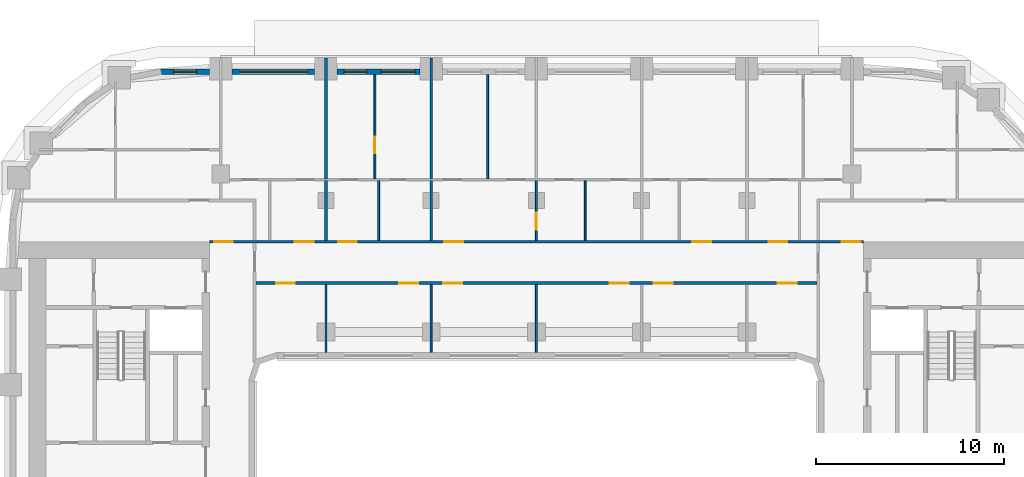
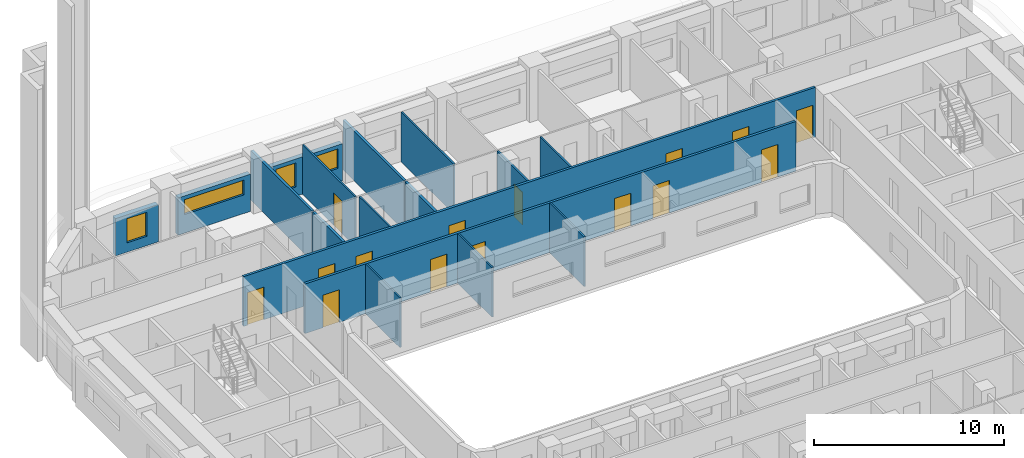
# One storey, part 9 of 23: 17 walls, 15 doors, 4 windows, 19 openings.
"""IFC4 building model written with IfcOpenShell, lengths in metres."""

from ifc_helpers import new_model, si_unit, direction, frame, frame_2d, origin, place, context, subcontext, project, spatial, rectangle, extrude, material, layer, layer_set, type_object, element, fill, save


model = new_model("IFC4")

# Units and contexts
model_context = context("Model", 3, precision=1e-05, world=origin(), true_north=direction((0.0, 1.0)))
body_context = subcontext(model_context, "Body", "Model", "MODEL_VIEW")
ifc_project = project(units=[si_unit("LENGTHUNIT", "METRE"), si_unit("AREAUNIT", "SQUARE_METRE"), si_unit("VOLUMEUNIT", "CUBIC_METRE"), si_unit("PLANEANGLEUNIT", "RADIAN"), si_unit("MASSUNIT", "GRAM", prefix="KILO")], contexts=[model_context])

# Site, building, storey
site_placement = place(None, origin())
site = spatial("IfcSite", under=ifc_project, at=site_placement, CompositionType="ELEMENT")
building_placement = place(site_placement, origin())
building = spatial("IfcBuilding", under=site, at=building_placement, Name="Kiln Ring Residences", CompositionType="ELEMENT")
storey_placement = place(building_placement, frame((0.0, 0.0, 107.800048828125)))
storey = spatial("IfcBuildingStorey", under=building, at=storey_placement, Name="L27", CompositionType="ELEMENT", Elevation=107.800048828125)

# Wall, openings, windows
ifc_material_1 = material(Name="Brick masonry, dark clay brick", Category="masonry")
ifc_layer_1 = layer(ifc_material_1, 0.300048828125)
ifc_layer_set_1 = layer_set([ifc_layer_1], Name="EW-300 BRICK WALL")
wall_type_1 = type_object("IfcWallType", Name="EW-300 BRICK WALL", PredefinedType="SOLIDWALL", material=ifc_layer_set_1)
wall_1_placement = place(storey_placement, frame((-6.199951171875, 22.25, 0.0), z_axis=(0.0, 0.0, 1.0), x_axis=(-1.0, 0.0, 0.0)))
wall_1 = element("IfcWall", 1, at=wall_1_placement, inside=storey, type_object=wall_type_1, Name="Facade wall L27 33", PredefinedType="SOLIDWALL", context=body_context, shape_type="SweptSolid", body=[
    extrude(rectangle(XDim=4.400146484375, YDim=0.300048828125, at=frame_2d((2.2001953125, 0.0))), origin(), (0.0, 0.0, 1.0), 2.39990234375),
])
opening_1_placement = place(wall_1_placement, frame((0.262451171875, 0.0, 0.89990234375)))
opening_1 = element("IfcOpeningElement", 2, at=opening_1_placement, cuts=wall_1, Name="Opening W2", PredefinedType="OPENING", context=body_context, shape_type="SweptSolid", body=[
    extrude(rectangle(XDim=1.800048828125, YDim=1.25, at=frame_2d((0.89990234375, 0.625))), frame((0.0, 0.159912109375, 0.0), z_axis=(0.0, -1.0, 0.0), x_axis=(1.0, 0.0, 0.0)), (0.0, 0.0, 1.0), 0.320068359375),
])
opening_2_placement = place(wall_1_placement, frame((2.83740234375, 0.0, 0.60009765625)))
opening_2 = element("IfcOpeningElement", 3, at=opening_2_placement, cuts=wall_1, Name="Opening W1", PredefinedType="OPENING", context=body_context, shape_type="SweptSolid", body=[
    extrude(rectangle(XDim=1.199951171875, YDim=1.550048828125, at=frame_2d((0.60009765625, 0.77490234375))), frame((0.0, 0.159912109375, 0.0), z_axis=(0.0, -1.0, 0.0), x_axis=(1.0, 0.0, 0.0)), (0.0, 0.0, 1.0), 0.320068359375),
])
ifc_material_2 = material(Name="Aluminium frame with double glazing", Category="aluminium")
window_type_1 = type_object("IfcWindowType", Name="WINDOW 1200 x 1550", PartitioningType="SINGLE_PANEL", PredefinedType="WINDOW", material=ifc_material_2)
window_1_placement = place(opening_2_placement, origin())
window_1 = element("IfcWindow", 4, at=window_1_placement, inside=storey, type_object=window_type_1, Name="Window L27 23", OverallHeight=1.550048828125, OverallWidth=1.199951171875, PartitioningType="SINGLE_PANEL", PredefinedType="WINDOW", context=body_context, shape_type="SweptSolid", body=[
    extrude(rectangle(XDim=1.199951171875, YDim=1.550048828125, at=frame_2d((0.60009765625, 0.77490234375))), frame((0.0, 0.030029296875, 0.0), z_axis=(0.0, -1.0, 0.0), x_axis=(1.0, 0.0, 0.0)), (0.0, 0.0, 1.0), 0.06005859375),
])
fill(opening_2, window_1)
ifc_material_3 = material(Name="Aluminium frame with double glazing", Category="aluminium")
window_type_2 = type_object("IfcWindowType", Name="WINDOW 1800 x 1250", PartitioningType="SINGLE_PANEL", PredefinedType="WINDOW", material=ifc_material_3)
window_2_placement = place(opening_1_placement, origin())
window_2 = element("IfcWindow", 5, at=window_2_placement, inside=storey, type_object=window_type_2, Name="Window L27 22", OverallHeight=1.25, OverallWidth=1.800048828125, PartitioningType="SINGLE_PANEL", PredefinedType="WINDOW", context=body_context, shape_type="SweptSolid", body=[
    extrude(rectangle(XDim=1.800048828125, YDim=1.25, at=frame_2d((0.89990234375, 0.625))), frame((0.0, 0.030029296875, 0.0), z_axis=(0.0, -1.0, 0.0), x_axis=(1.0, 0.0, 0.0)), (0.0, 0.0, 1.0), 0.06005859375),
])
fill(opening_1, window_2)

# Wall, opening, window
wall_2_placement = place(storey_placement, frame((-11.800048828125, 22.25, 0.0), z_axis=(0.0, 0.0, 1.0), x_axis=(-1.0, 0.0, 0.0)))
wall_2 = element("IfcWall", 6, at=wall_2_placement, inside=storey, type_object=wall_type_1, Name="Facade wall L27 34", PredefinedType="SOLIDWALL", context=body_context, shape_type="SweptSolid", body=[
    extrude(rectangle(XDim=4.39990234375, YDim=0.300048828125, at=frame_2d((2.199951171875, 0.0))), origin(), (0.0, 0.0, 1.0), 2.39990234375),
])
opening_3_placement = place(wall_2_placement, frame((0.39990234375, 0.0, 1.199951171875)))
opening_3 = element("IfcOpeningElement", 7, at=opening_3_placement, cuts=wall_2, Name="Opening W4", PredefinedType="OPENING", context=body_context, shape_type="SweptSolid", body=[
    extrude(rectangle(XDim=3.60009765625, YDim=0.949951171875, at=frame_2d((1.800048828125, 0.47509765625))), frame((0.0, 0.159912109375, 0.0), z_axis=(0.0, -1.0, 0.0), x_axis=(1.0, 0.0, 0.0)), (0.0, 0.0, 1.0), 0.320068359375),
])
ifc_material_4 = material(Name="Aluminium frame with double glazing", Category="aluminium")
window_type_3 = type_object("IfcWindowType", Name="WINDOW 3600 x 950", PartitioningType="SINGLE_PANEL", PredefinedType="WINDOW", material=ifc_material_4)
window_3_placement = place(opening_3_placement, origin())
window_3 = element("IfcWindow", 8, at=window_3_placement, inside=storey, type_object=window_type_3, Name="Window L27 24", OverallHeight=0.949951171875, OverallWidth=3.60009765625, PartitioningType="SINGLE_PANEL", PredefinedType="WINDOW", context=body_context, shape_type="SweptSolid", body=[
    extrude(rectangle(XDim=3.60009765625, YDim=0.949951171875, at=frame_2d((1.800048828125, 0.47509765625))), frame((0.0, 0.030029296875, 0.0), z_axis=(0.0, -1.0, 0.0), x_axis=(1.0, 0.0, 0.0)), (0.0, 0.0, 1.0), 0.06005859375),
])
fill(opening_3, window_3)

wall_3_placement = place(storey_placement, frame((-17.39990234375, 22.25, 0.0), z_axis=(0.0, 0.0, 1.0), x_axis=(-1.0, 0.0, 0.0)))
wall_3 = element("IfcWall", 9, at=wall_3_placement, inside=storey, type_object=wall_type_1, Name="Facade wall L27 35", PredefinedType="SOLIDWALL", context=body_context, shape_type="SweptSolid", body=[
    extrude(rectangle(XDim=2.60009765625, YDim=0.300048828125, at=frame_2d((1.300048828125, 0.0))), origin(), (0.0, 0.0, 1.0), 2.39990234375),
])
opening_4_placement = place(wall_3_placement, frame((0.699951171875, 0.0, 0.60009765625)))
opening_4 = element("IfcOpeningElement", 10, at=opening_4_placement, cuts=wall_3, Name="Opening W1", PredefinedType="OPENING", context=body_context, shape_type="SweptSolid", body=[
    extrude(rectangle(XDim=1.199951171875, YDim=1.550048828125, at=frame_2d((0.60009765625, 0.77490234375))), frame((0.0, 0.159912109375, 0.0), z_axis=(0.0, -1.0, 0.0), x_axis=(1.0, 0.0, 0.0)), (0.0, 0.0, 1.0), 0.320068359375),
])
window_4_placement = place(opening_4_placement, origin())
window_4 = element("IfcWindow", 11, at=window_4_placement, inside=storey, type_object=window_type_1, Name="Window L27 25", OverallHeight=1.550048828125, OverallWidth=1.199951171875, PartitioningType="SINGLE_PANEL", PredefinedType="WINDOW", context=body_context, shape_type="SweptSolid", body=[
    extrude(rectangle(XDim=1.199951171875, YDim=1.550048828125, at=frame_2d((0.60009765625, 0.77490234375))), frame((0.0, 0.030029296875, 0.0), z_axis=(0.0, -1.0, 0.0), x_axis=(1.0, 0.0, 0.0)), (0.0, 0.0, 1.0), 0.06005859375),
])
fill(opening_4, window_4)

# Wall
ifc_material_5 = material(Name="Gypsum board on steel studs", Category="steel")
ifc_layer_2 = layer(ifc_material_5, 0.10009765625)
ifc_layer_set_2 = layer_set([ifc_layer_2], Name="PARTITION-100")
wall_type_2 = type_object("IfcWallType", Name="PARTITION-100", PredefinedType="PARTITIONING", material=ifc_layer_set_2)
wall_4_placement = place(storey_placement, frame((-11.199951171875, 7.320068359375, 0.0), z_axis=(0.0, 0.0, 1.0), x_axis=(0.0, 1.0, 0.0)))
element("IfcWall", 12, at=wall_4_placement, inside=storey, type_object=wall_type_2, Name="Partition 028", PredefinedType="PARTITIONING", context=body_context, shape_type="SweptSolid", body=[
    extrude(rectangle(XDim=3.60498046875, YDim=0.10009765625, at=frame_2d((1.802490234375, 0.0))), origin(), (0.0, 0.0, 1.0), 3.199951171875),
])

# Wall, opening, door
wall_5_placement = place(storey_placement, frame((-8.60009765625, 16.550048828125, 0.0), z_axis=(0.0, 0.0, 1.0), x_axis=(0.0, 1.0, 0.0)))
wall_5 = element("IfcWall", 13, at=wall_5_placement, inside=storey, type_object=wall_type_2, Name="Partition 033", PredefinedType="PARTITIONING", context=body_context, shape_type="SweptSolid", body=[
    extrude(rectangle(XDim=5.530029296875, YDim=0.10009765625, at=frame_2d((2.76513671875, 0.0))), origin(), (0.0, 0.0, 1.0), 3.199951171875),
])
opening_5_placement = place(wall_5_placement, frame((1.35009765625, 0.0, 0.0)))
opening_5 = element("IfcOpeningElement", 14, at=opening_5_placement, cuts=wall_5, Name="Opening L27-D021", PredefinedType="OPENING", context=body_context, shape_type="SweptSolid", body=[
    extrude(rectangle(XDim=0.89990234375, YDim=2.10009765625, at=frame_2d((0.449951171875, 1.050048828125))), frame((0.0, 0.06005859375, 0.0), z_axis=(0.0, -1.0, 0.0), x_axis=(1.0, 0.0, 0.0)), (0.0, 0.0, 1.0), 0.1201171875),
])
ifc_material_6 = material(Name="Timber door leaf", Category="wood")
door_type_1 = type_object("IfcDoorType", Name="FLAT-DOOR-900-PL", OperationType="SINGLE_SWING_LEFT", PredefinedType="DOOR", material=ifc_material_6)
door_1_placement = place(opening_5_placement, origin())
door_1 = element("IfcDoor", 15, at=door_1_placement, inside=storey, type_object=door_type_1, Name="Door L27-D021", OperationType="SINGLE_SWING_LEFT", OverallHeight=2.10009765625, OverallWidth=0.89990234375, PredefinedType="DOOR", context=body_context, shape_type="SweptSolid", body=[
    extrude(rectangle(XDim=0.89990234375, YDim=2.10009765625, at=frame_2d((0.449951171875, 1.050048828125))), frame((0.0, 0.02490234375, 0.0), z_axis=(0.0, -1.0, 0.0), x_axis=(1.0, 0.0, 0.0)), (0.0, 0.0, 1.0), 0.050048828125),
])
fill(opening_5, door_1)

# Walls
wall_6_placement = place(storey_placement, frame((-8.39990234375, 13.27490234375, 0.0), z_axis=(0.0, 0.0, 1.0), x_axis=(0.0, 1.0, 0.0)))
element("IfcWall", 16, at=wall_6_placement, inside=storey, type_object=wall_type_2, Name="Partition 034", PredefinedType="PARTITIONING", context=body_context, shape_type="SweptSolid", body=[
    extrude(rectangle(XDim=3.175048828125, YDim=0.10009765625, at=frame_2d((1.58740234375, 0.0))), origin(), (0.0, 0.0, 1.0), 3.199951171875),
])
wall_7_placement = place(storey_placement, frame((-5.60009765625, 7.320068359375, 0.0), z_axis=(0.0, 0.0, 1.0), x_axis=(0.0, 1.0, 0.0)))
element("IfcWall", 17, at=wall_7_placement, inside=storey, type_object=wall_type_2, Name="Partition 037", PredefinedType="PARTITIONING", context=body_context, shape_type="SweptSolid", body=[
    extrude(rectangle(XDim=3.60498046875, YDim=0.10009765625, at=frame_2d((1.802490234375, 0.0))), origin(), (0.0, 0.0, 1.0), 3.199951171875),
])
wall_8_placement = place(storey_placement, frame((-2.60009765625, 16.550048828125, 0.0), z_axis=(0.0, 0.0, 1.0), x_axis=(0.0, 1.0, 0.0)))
element("IfcWall", 18, at=wall_8_placement, inside=storey, type_object=wall_type_2, Name="Partition 044", PredefinedType="PARTITIONING", context=body_context, shape_type="SweptSolid", body=[
    extrude(rectangle(XDim=5.530029296875, YDim=0.10009765625, at=frame_2d((2.76513671875, 0.0))), origin(), (0.0, 0.0, 1.0), 3.199951171875),
])
wall_9_placement = place(storey_placement, frame((0.0, 7.320068359375, 0.0), z_axis=(0.0, 0.0, 1.0), x_axis=(0.0, 1.0, 0.0)))
element("IfcWall", 19, at=wall_9_placement, inside=storey, type_object=wall_type_2, Name="Partition 047", PredefinedType="PARTITIONING", context=body_context, shape_type="SweptSolid", body=[
    extrude(rectangle(XDim=3.60498046875, YDim=0.10009765625, at=frame_2d((1.802490234375, 0.0))), origin(), (0.0, 0.0, 1.0), 3.199951171875),
])

# Wall, opening, door
wall_10_placement = place(storey_placement, frame((0.0, 13.27490234375, 0.0), z_axis=(0.0, 0.0, 1.0), x_axis=(0.0, 1.0, 0.0)))
wall_10 = element("IfcWall", 20, at=wall_10_placement, inside=storey, type_object=wall_type_2, Name="Partition 048", PredefinedType="PARTITIONING", context=body_context, shape_type="SweptSolid", body=[
    extrude(rectangle(XDim=3.175048828125, YDim=0.10009765625, at=frame_2d((1.58740234375, 0.0))), origin(), (0.0, 0.0, 1.0), 3.199951171875),
])
opening_6_placement = place(wall_10_placement, frame((0.575927734375, 0.0, 0.0)))
opening_6 = element("IfcOpeningElement", 21, at=opening_6_placement, cuts=wall_10, Name="Opening L27-D023", PredefinedType="OPENING", context=body_context, shape_type="SweptSolid", body=[
    extrude(rectangle(XDim=0.89990234375, YDim=2.10009765625, at=frame_2d((0.449951171875, 1.050048828125))), frame((0.0, 0.06005859375, 0.0), z_axis=(0.0, -1.0, 0.0), x_axis=(1.0, 0.0, 0.0)), (0.0, 0.0, 1.0), 0.1201171875),
])
door_2_placement = place(opening_6_placement, origin())
door_2 = element("IfcDoor", 22, at=door_2_placement, inside=storey, type_object=door_type_1, Name="Door L27-D023", OperationType="SINGLE_SWING_LEFT", OverallHeight=2.10009765625, OverallWidth=0.89990234375, PredefinedType="DOOR", context=body_context, shape_type="SweptSolid", body=[
    extrude(rectangle(XDim=0.89990234375, YDim=2.10009765625, at=frame_2d((0.449951171875, 1.050048828125))), frame((0.0, 0.02490234375, 0.0), z_axis=(0.0, -1.0, 0.0), x_axis=(1.0, 0.0, 0.0)), (0.0, 0.0, 1.0), 0.050048828125),
])
fill(opening_6, door_2)

# Wall
wall_11_placement = place(storey_placement, frame((2.60009765625, 13.27490234375, 0.0), z_axis=(0.0, 0.0, 1.0), x_axis=(0.0, 1.0, 0.0)))
element("IfcWall", 23, at=wall_11_placement, inside=storey, type_object=wall_type_2, Name="Partition 052", PredefinedType="PARTITIONING", context=body_context, shape_type="SweptSolid", body=[
    extrude(rectangle(XDim=3.175048828125, YDim=0.10009765625, at=frame_2d((1.58740234375, 0.0))), origin(), (0.0, 0.0, 1.0), 3.199951171875),
])

# Wall, openings, doors
ifc_material_7 = material(Name="Brick masonry partition", Category="masonry")
ifc_layer_3 = layer(ifc_material_7, 0.14990234375)
ifc_layer_set_3 = layer_set([ifc_layer_3], Name="PARTITION-150-ei60")
wall_type_3 = type_object("IfcWallType", Name="PARTITION-150-ei60", PredefinedType="PARTITIONING", material=ifc_layer_set_3)
wall_12_placement = place(storey_placement, frame((-14.925048828125, 11.0, 0.0), z_axis=(0.0, 0.0, 1.0), x_axis=(1.0, 0.0, 0.0)))
wall_12 = element("IfcWall", 24, at=wall_12_placement, inside=storey, type_object=wall_type_3, Name="Partition 007", PredefinedType="PARTITIONING", context=body_context, shape_type="SweptSolid", body=[
    extrude(rectangle(XDim=29.85009765625, YDim=0.14990234375, at=frame_2d((14.925048828125, 0.0))), origin(), (0.0, 0.0, 1.0), 3.199951171875),
])
opening_7_placement = place(wall_12_placement, frame((1.075927734375, 0.0, 0.0)))
opening_7 = element("IfcOpeningElement", 25, at=opening_7_placement, cuts=wall_12, Name="Opening L27-D009", PredefinedType="OPENING", context=body_context, shape_type="SweptSolid", body=[
    extrude(rectangle(XDim=1.0, YDim=2.10009765625, at=frame_2d((0.5, 1.050048828125))), frame((0.0, 0.0849609375, 0.0), z_axis=(0.0, -1.0, 0.0), x_axis=(1.0, 0.0, 0.0)), (0.0, 0.0, 1.0), 0.169921875),
])
opening_8_placement = place(wall_12_placement, frame((7.625, 0.0, 0.0)))
opening_8 = element("IfcOpeningElement", 26, at=opening_8_placement, cuts=wall_12, Name="Opening L27-D010", PredefinedType="OPENING", context=body_context, shape_type="SweptSolid", body=[
    extrude(rectangle(XDim=1.0, YDim=2.10009765625, at=frame_2d((0.5, 1.050048828125))), frame((0.0, 0.0849609375, 0.0), z_axis=(0.0, -1.0, 0.0), x_axis=(1.0, 0.0, 0.0)), (0.0, 0.0, 1.0), 0.169921875),
])
opening_9_placement = place(wall_12_placement, frame((9.97509765625, 0.0, 0.0)))
opening_9 = element("IfcOpeningElement", 27, at=opening_9_placement, cuts=wall_12, Name="Opening L27-D011", PredefinedType="OPENING", context=body_context, shape_type="SweptSolid", body=[
    extrude(rectangle(XDim=1.0, YDim=2.10009765625, at=frame_2d((0.5, 1.050048828125))), frame((0.0, 0.0849609375, 0.0), z_axis=(0.0, -1.0, 0.0), x_axis=(1.0, 0.0, 0.0)), (0.0, 0.0, 1.0), 0.169921875),
])
opening_10_placement = place(wall_12_placement, frame((18.824951171875, 0.0, 0.0)))
opening_10 = element("IfcOpeningElement", 28, at=opening_10_placement, cuts=wall_12, Name="Opening L27-D012", PredefinedType="OPENING", context=body_context, shape_type="SweptSolid", body=[
    extrude(rectangle(XDim=1.0, YDim=2.10009765625, at=frame_2d((0.5, 1.050048828125))), frame((0.0, 0.0849609375, 0.0), z_axis=(0.0, -1.0, 0.0), x_axis=(1.0, 0.0, 0.0)), (0.0, 0.0, 1.0), 0.169921875),
])
opening_11_placement = place(wall_12_placement, frame((21.175048828125, 0.0, 0.0)))
opening_11 = element("IfcOpeningElement", 29, at=opening_11_placement, cuts=wall_12, Name="Opening L27-D013", PredefinedType="OPENING", context=body_context, shape_type="SweptSolid", body=[
    extrude(rectangle(XDim=1.0, YDim=2.10009765625, at=frame_2d((0.5, 1.050048828125))), frame((0.0, 0.0849609375, 0.0), z_axis=(0.0, -1.0, 0.0), x_axis=(1.0, 0.0, 0.0)), (0.0, 0.0, 1.0), 0.169921875),
])
opening_12_placement = place(wall_12_placement, frame((27.77490234375, 0.0, 0.0)))
opening_12 = element("IfcOpeningElement", 30, at=opening_12_placement, cuts=wall_12, Name="Opening L27-D014", PredefinedType="OPENING", context=body_context, shape_type="SweptSolid", body=[
    extrude(rectangle(XDim=1.0, YDim=2.10009765625, at=frame_2d((0.5, 1.050048828125))), frame((0.0, 0.0849609375, 0.0), z_axis=(0.0, -1.0, 0.0), x_axis=(1.0, 0.0, 0.0)), (0.0, 0.0, 1.0), 0.169921875),
])
ifc_material_8 = material(Name="Steel faced fire door leaf", Category="steel")
door_type_2 = type_object("IfcDoorType", Name="FLAT-DOOR-1000-FR", OperationType="SINGLE_SWING_LEFT", PredefinedType="DOOR", material=ifc_material_8)
door_3_placement = place(opening_7_placement, origin())
door_3 = element("IfcDoor", 31, at=door_3_placement, inside=storey, type_object=door_type_2, Name="Door L27-D009", OperationType="SINGLE_SWING_LEFT", OverallHeight=2.10009765625, OverallWidth=1.0, PredefinedType="DOOR", context=body_context, shape_type="SweptSolid", body=[
    extrude(rectangle(XDim=1.0, YDim=2.10009765625, at=frame_2d((0.5, 1.050048828125))), frame((0.0, 0.02490234375, 0.0), z_axis=(0.0, -1.0, 0.0), x_axis=(1.0, 0.0, 0.0)), (0.0, 0.0, 1.0), 0.050048828125),
])
fill(opening_7, door_3)
door_4_placement = place(opening_8_placement, origin())
door_4 = element("IfcDoor", 32, at=door_4_placement, inside=storey, type_object=door_type_2, Name="Door L27-D010", OperationType="SINGLE_SWING_RIGHT", OverallHeight=2.10009765625, OverallWidth=1.0, PredefinedType="DOOR", context=body_context, shape_type="SweptSolid", body=[
    extrude(rectangle(XDim=1.0, YDim=2.10009765625, at=frame_2d((0.5, 1.050048828125))), frame((0.0, 0.02490234375, 0.0), z_axis=(0.0, -1.0, 0.0), x_axis=(1.0, 0.0, 0.0)), (0.0, 0.0, 1.0), 0.050048828125),
])
fill(opening_8, door_4)
door_5_placement = place(opening_9_placement, origin())
door_5 = element("IfcDoor", 33, at=door_5_placement, inside=storey, type_object=door_type_2, Name="Door L27-D011", OperationType="SINGLE_SWING_LEFT", OverallHeight=2.10009765625, OverallWidth=1.0, PredefinedType="DOOR", context=body_context, shape_type="SweptSolid", body=[
    extrude(rectangle(XDim=1.0, YDim=2.10009765625, at=frame_2d((0.5, 1.050048828125))), frame((0.0, 0.02490234375, 0.0), z_axis=(0.0, -1.0, 0.0), x_axis=(1.0, 0.0, 0.0)), (0.0, 0.0, 1.0), 0.050048828125),
])
fill(opening_9, door_5)
door_6_placement = place(opening_10_placement, origin())
door_6 = element("IfcDoor", 34, at=door_6_placement, inside=storey, type_object=door_type_2, Name="Door L27-D012", OperationType="SINGLE_SWING_RIGHT", OverallHeight=2.10009765625, OverallWidth=1.0, PredefinedType="DOOR", context=body_context, shape_type="SweptSolid", body=[
    extrude(rectangle(XDim=1.0, YDim=2.10009765625, at=frame_2d((0.5, 1.050048828125))), frame((0.0, 0.02490234375, 0.0), z_axis=(0.0, -1.0, 0.0), x_axis=(1.0, 0.0, 0.0)), (0.0, 0.0, 1.0), 0.050048828125),
])
fill(opening_10, door_6)
door_7_placement = place(opening_11_placement, origin())
door_7 = element("IfcDoor", 35, at=door_7_placement, inside=storey, type_object=door_type_2, Name="Door L27-D013", OperationType="SINGLE_SWING_LEFT", OverallHeight=2.10009765625, OverallWidth=1.0, PredefinedType="DOOR", context=body_context, shape_type="SweptSolid", body=[
    extrude(rectangle(XDim=1.0, YDim=2.10009765625, at=frame_2d((0.5, 1.050048828125))), frame((0.0, 0.02490234375, 0.0), z_axis=(0.0, -1.0, 0.0), x_axis=(1.0, 0.0, 0.0)), (0.0, 0.0, 1.0), 0.050048828125),
])
fill(opening_11, door_7)
door_8_placement = place(opening_12_placement, origin())
door_8 = element("IfcDoor", 36, at=door_8_placement, inside=storey, type_object=door_type_2, Name="Door L27-D014", OperationType="SINGLE_SWING_RIGHT", OverallHeight=2.10009765625, OverallWidth=1.0, PredefinedType="DOOR", context=body_context, shape_type="SweptSolid", body=[
    extrude(rectangle(XDim=1.0, YDim=2.10009765625, at=frame_2d((0.5, 1.050048828125))), frame((0.0, 0.02490234375, 0.0), z_axis=(0.0, -1.0, 0.0), x_axis=(1.0, 0.0, 0.0)), (0.0, 0.0, 1.0), 0.050048828125),
])
fill(opening_12, door_8)

wall_13_placement = place(storey_placement, frame((-17.39990234375, 13.199951171875, 0.0), z_axis=(0.0, 0.0, 1.0), x_axis=(1.0, 0.0, 0.0)))
wall_13 = element("IfcWall", 37, at=wall_13_placement, inside=storey, type_object=wall_type_3, Name="Partition 008", PredefinedType="PARTITIONING", context=body_context, shape_type="SweptSolid", body=[
    extrude(rectangle(XDim=34.7998046875, YDim=0.14990234375, at=frame_2d((17.39990234375, 0.0))), origin(), (0.0, 0.0, 1.0), 3.199951171875),
])
opening_13_placement = place(wall_13_placement, frame((0.25, 0.0, 0.0)))
opening_13 = element("IfcOpeningElement", 38, at=opening_13_placement, cuts=wall_13, Name="Opening L27-D003", PredefinedType="OPENING", context=body_context, shape_type="SweptSolid", body=[
    extrude(rectangle(XDim=1.0, YDim=2.10009765625, at=frame_2d((0.5, 1.050048828125))), frame((0.0, 0.0849609375, 0.0), z_axis=(0.0, -1.0, 0.0), x_axis=(1.0, 0.0, 0.0)), (0.0, 0.0, 1.0), 0.169921875),
])
opening_14_placement = place(wall_13_placement, frame((33.64990234375, 0.0, 0.0)))
opening_14 = element("IfcOpeningElement", 39, at=opening_14_placement, cuts=wall_13, Name="Opening L27-D004", PredefinedType="OPENING", context=body_context, shape_type="SweptSolid", body=[
    extrude(rectangle(XDim=1.0, YDim=2.10009765625, at=frame_2d((0.5, 1.050048828125))), frame((0.0, 0.0849609375, 0.0), z_axis=(0.0, -1.0, 0.0), x_axis=(1.0, 0.0, 0.0)), (0.0, 0.0, 1.0), 0.169921875),
])
opening_15_placement = place(wall_13_placement, frame((4.550048828125, 0.0, 0.0)))
opening_15 = element("IfcOpeningElement", 40, at=opening_15_placement, cuts=wall_13, Name="Opening L27-D015", PredefinedType="OPENING", context=body_context, shape_type="SweptSolid", body=[
    extrude(rectangle(XDim=1.0, YDim=2.10009765625, at=frame_2d((0.5, 1.050048828125))), frame((0.0, 0.0849609375, 0.0), z_axis=(0.0, -1.0, 0.0), x_axis=(1.0, 0.0, 0.0)), (0.0, 0.0, 1.0), 0.169921875),
])
opening_16_placement = place(wall_13_placement, frame((6.85009765625, 0.0, 0.0)))
opening_16 = element("IfcOpeningElement", 41, at=opening_16_placement, cuts=wall_13, Name="Opening L27-D018", PredefinedType="OPENING", context=body_context, shape_type="SweptSolid", body=[
    extrude(rectangle(XDim=1.0, YDim=2.10009765625, at=frame_2d((0.5, 1.050048828125))), frame((0.0, 0.0849609375, 0.0), z_axis=(0.0, -1.0, 0.0), x_axis=(1.0, 0.0, 0.0)), (0.0, 0.0, 1.0), 0.169921875),
])
opening_17_placement = place(wall_13_placement, frame((12.5, 0.0, 0.0)))
opening_17 = element("IfcOpeningElement", 42, at=opening_17_placement, cuts=wall_13, Name="Opening L27-D022", PredefinedType="OPENING", context=body_context, shape_type="SweptSolid", body=[
    extrude(rectangle(XDim=1.0, YDim=2.10009765625, at=frame_2d((0.5, 1.050048828125))), frame((0.0, 0.0849609375, 0.0), z_axis=(0.0, -1.0, 0.0), x_axis=(1.0, 0.0, 0.0)), (0.0, 0.0, 1.0), 0.169921875),
])
opening_18_placement = place(wall_13_placement, frame((25.699951171875, 0.0, 0.0)))
opening_18 = element("IfcOpeningElement", 43, at=opening_18_placement, cuts=wall_13, Name="Opening L27-D028", PredefinedType="OPENING", context=body_context, shape_type="SweptSolid", body=[
    extrude(rectangle(XDim=1.0, YDim=2.10009765625, at=frame_2d((0.5, 1.050048828125))), frame((0.0, 0.0849609375, 0.0), z_axis=(0.0, -1.0, 0.0), x_axis=(1.0, 0.0, 0.0)), (0.0, 0.0, 1.0), 0.169921875),
])
opening_19_placement = place(wall_13_placement, frame((29.75, 0.0, 0.0)))
opening_19 = element("IfcOpeningElement", 44, at=opening_19_placement, cuts=wall_13, Name="Opening L27-D031", PredefinedType="OPENING", context=body_context, shape_type="SweptSolid", body=[
    extrude(rectangle(XDim=1.0, YDim=2.10009765625, at=frame_2d((0.5, 1.050048828125))), frame((0.0, 0.0849609375, 0.0), z_axis=(0.0, -1.0, 0.0), x_axis=(1.0, 0.0, 0.0)), (0.0, 0.0, 1.0), 0.169921875),
])
door_9_placement = place(opening_13_placement, origin())
door_9 = element("IfcDoor", 45, at=door_9_placement, inside=storey, type_object=door_type_2, Name="Door L27-D003", OperationType="SINGLE_SWING_LEFT", OverallHeight=2.10009765625, OverallWidth=1.0, PredefinedType="DOOR", context=body_context, shape_type="SweptSolid", body=[
    extrude(rectangle(XDim=1.0, YDim=2.10009765625, at=frame_2d((0.5, 1.050048828125))), frame((0.0, 0.02490234375, 0.0), z_axis=(0.0, -1.0, 0.0), x_axis=(1.0, 0.0, 0.0)), (0.0, 0.0, 1.0), 0.050048828125),
])
fill(opening_13, door_9)
door_10_placement = place(opening_14_placement, origin())
door_10 = element("IfcDoor", 46, at=door_10_placement, inside=storey, type_object=door_type_2, Name="Door L27-D004", OperationType="SINGLE_SWING_RIGHT", OverallHeight=2.10009765625, OverallWidth=1.0, PredefinedType="DOOR", context=body_context, shape_type="SweptSolid", body=[
    extrude(rectangle(XDim=1.0, YDim=2.10009765625, at=frame_2d((0.5, 1.050048828125))), frame((0.0, 0.02490234375, 0.0), z_axis=(0.0, -1.0, 0.0), x_axis=(1.0, 0.0, 0.0)), (0.0, 0.0, 1.0), 0.050048828125),
])
fill(opening_14, door_10)
door_11_placement = place(opening_15_placement, origin())
door_11 = element("IfcDoor", 47, at=door_11_placement, inside=storey, type_object=door_type_2, Name="Door L27-D015", OperationType="SINGLE_SWING_LEFT", OverallHeight=2.10009765625, OverallWidth=1.0, PredefinedType="DOOR", context=body_context, shape_type="SweptSolid", body=[
    extrude(rectangle(XDim=1.0, YDim=2.10009765625, at=frame_2d((0.5, 1.050048828125))), frame((0.0, 0.02490234375, 0.0), z_axis=(0.0, -1.0, 0.0), x_axis=(1.0, 0.0, 0.0)), (0.0, 0.0, 1.0), 0.050048828125),
])
fill(opening_15, door_11)
door_12_placement = place(opening_16_placement, origin())
door_12 = element("IfcDoor", 48, at=door_12_placement, inside=storey, type_object=door_type_2, Name="Door L27-D018", OperationType="SINGLE_SWING_RIGHT", OverallHeight=2.10009765625, OverallWidth=1.0, PredefinedType="DOOR", context=body_context, shape_type="SweptSolid", body=[
    extrude(rectangle(XDim=1.0, YDim=2.10009765625, at=frame_2d((0.5, 1.050048828125))), frame((0.0, 0.02490234375, 0.0), z_axis=(0.0, -1.0, 0.0), x_axis=(1.0, 0.0, 0.0)), (0.0, 0.0, 1.0), 0.050048828125),
])
fill(opening_16, door_12)
door_13_placement = place(opening_17_placement, origin())
door_13 = element("IfcDoor", 49, at=door_13_placement, inside=storey, type_object=door_type_2, Name="Door L27-D022", OperationType="SINGLE_SWING_RIGHT", OverallHeight=2.10009765625, OverallWidth=1.0, PredefinedType="DOOR", context=body_context, shape_type="SweptSolid", body=[
    extrude(rectangle(XDim=1.0, YDim=2.10009765625, at=frame_2d((0.5, 1.050048828125))), frame((0.0, 0.02490234375, 0.0), z_axis=(0.0, -1.0, 0.0), x_axis=(1.0, 0.0, 0.0)), (0.0, 0.0, 1.0), 0.050048828125),
])
fill(opening_17, door_13)
door_14_placement = place(opening_18_placement, origin())
door_14 = element("IfcDoor", 50, at=door_14_placement, inside=storey, type_object=door_type_2, Name="Door L27-D028", OperationType="SINGLE_SWING_RIGHT", OverallHeight=2.10009765625, OverallWidth=1.0, PredefinedType="DOOR", context=body_context, shape_type="SweptSolid", body=[
    extrude(rectangle(XDim=1.0, YDim=2.10009765625, at=frame_2d((0.5, 1.050048828125))), frame((0.0, 0.02490234375, 0.0), z_axis=(0.0, -1.0, 0.0), x_axis=(1.0, 0.0, 0.0)), (0.0, 0.0, 1.0), 0.050048828125),
])
fill(opening_18, door_14)
door_15_placement = place(opening_19_placement, origin())
door_15 = element("IfcDoor", 51, at=door_15_placement, inside=storey, type_object=door_type_2, Name="Door L27-D031", OperationType="SINGLE_SWING_LEFT", OverallHeight=2.10009765625, OverallWidth=1.0, PredefinedType="DOOR", context=body_context, shape_type="SweptSolid", body=[
    extrude(rectangle(XDim=1.0, YDim=2.10009765625, at=frame_2d((0.5, 1.050048828125))), frame((0.0, 0.02490234375, 0.0), z_axis=(0.0, -1.0, 0.0), x_axis=(1.0, 0.0, 0.0)), (0.0, 0.0, 1.0), 0.050048828125),
])
fill(opening_19, door_15)

# Walls
wall_14_placement = place(storey_placement, frame((-11.199951171875, 13.27490234375, 0.0), z_axis=(0.0, 0.0, 1.0), x_axis=(0.0, 1.0, 0.0)))
element("IfcWall", 52, at=wall_14_placement, inside=storey, type_object=wall_type_3, Name="Partition 031", PredefinedType="PARTITIONING", context=body_context, shape_type="SweptSolid", body=[
    extrude(rectangle(XDim=3.175048828125, YDim=0.14990234375, at=frame_2d((1.58740234375, 0.0))), origin(), (0.0, 0.0, 1.0), 3.199951171875),
])
wall_15_placement = place(storey_placement, frame((-11.199951171875, 16.550048828125, 0.0), z_axis=(0.0, 0.0, 1.0), x_axis=(0.0, 1.0, 0.0)))
element("IfcWall", 53, at=wall_15_placement, inside=storey, type_object=wall_type_3, Name="Partition 032", PredefinedType="PARTITIONING", context=body_context, shape_type="SweptSolid", body=[
    extrude(rectangle(XDim=6.429931640625, YDim=0.14990234375, at=frame_2d((3.21484375, 0.0))), origin(), (0.0, 0.0, 1.0), 3.199951171875),
])
wall_16_placement = place(storey_placement, frame((-5.60009765625, 13.27490234375, 0.0), z_axis=(0.0, 0.0, 1.0), x_axis=(0.0, 1.0, 0.0)))
element("IfcWall", 54, at=wall_16_placement, inside=storey, type_object=wall_type_3, Name="Partition 041", PredefinedType="PARTITIONING", context=body_context, shape_type="SweptSolid", body=[
    extrude(rectangle(XDim=3.175048828125, YDim=0.14990234375, at=frame_2d((1.58740234375, 0.0))), origin(), (0.0, 0.0, 1.0), 3.199951171875),
])
wall_17_placement = place(storey_placement, frame((-5.60009765625, 16.550048828125, 0.0), z_axis=(0.0, 0.0, 1.0), x_axis=(0.0, 1.0, 0.0)))
element("IfcWall", 55, at=wall_17_placement, inside=storey, type_object=wall_type_3, Name="Partition 042", PredefinedType="PARTITIONING", context=body_context, shape_type="SweptSolid", body=[
    extrude(rectangle(XDim=6.429931640625, YDim=0.14990234375, at=frame_2d((3.21484375, 0.0))), origin(), (0.0, 0.0, 1.0), 3.199951171875),
])

save(model, "model.ifc")
